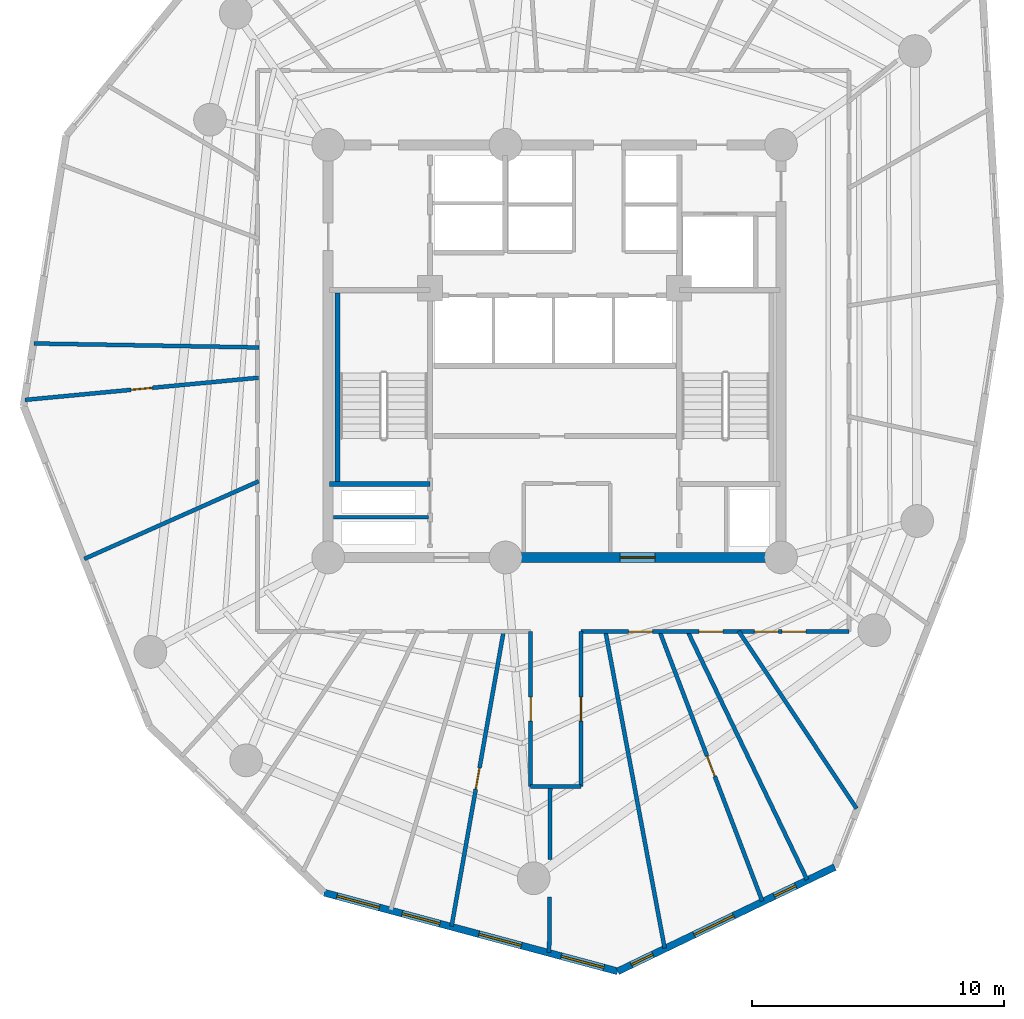
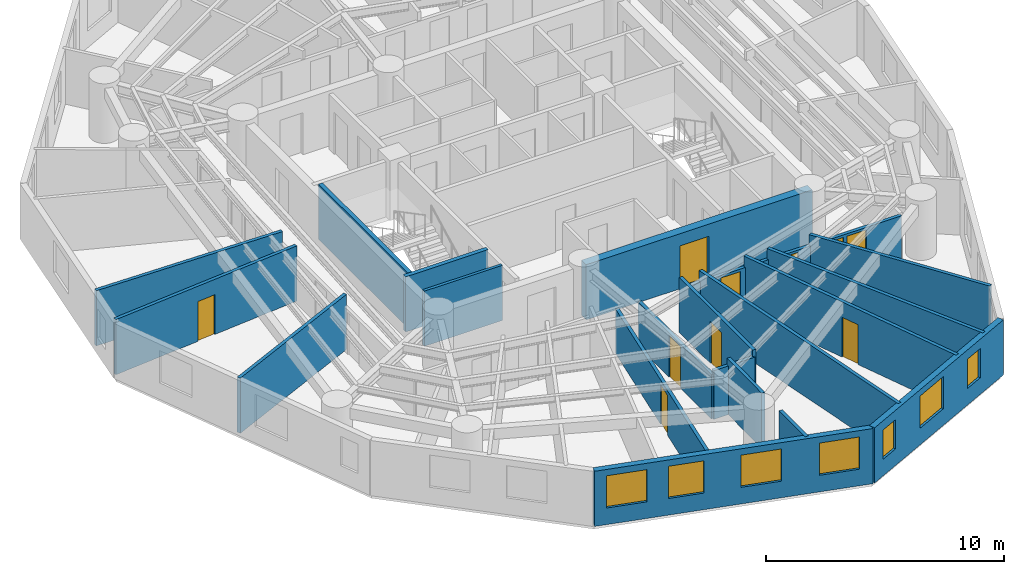
# One storey, part 3 of 8: 20 walls, 10 doors, 7 windows, 17 openings.
"""IFC4 building model written with IfcOpenShell, lengths in metres."""

from ifc_helpers import new_model, si_unit, direction, frame, frame_2d, origin, origin_with_axes, place, context, subcontext, project, spatial, rectangle, extrude, source, transform, mapped, material, layer, layer_set, type_object, element, fill, save


model = new_model("IFC4")

# Units and contexts
model_context = context("Model", 3, precision=1e-05, world=origin(), true_north=direction((0.0, 1.0)))
body_context = subcontext(model_context, "Body", "Model", "MODEL_VIEW")
ifc_project = project(units=[si_unit("LENGTHUNIT", "METRE"), si_unit("AREAUNIT", "SQUARE_METRE"), si_unit("VOLUMEUNIT", "CUBIC_METRE"), si_unit("PLANEANGLEUNIT", "RADIAN"), si_unit("MASSUNIT", "GRAM", prefix="KILO")], contexts=[model_context])

# Site, building, storey
site_placement = place(None, origin())
site = spatial("IfcSite", under=ifc_project, at=site_placement, CompositionType="ELEMENT")
building_placement = place(site_placement, origin())
building = spatial("IfcBuilding", under=site, at=building_placement, Name="Karkom Vertical University and Central Library", CompositionType="ELEMENT")
storey_placement = place(building_placement, frame((0.0, 0.0, 165.699951171875)))
storey = spatial("IfcBuildingStorey", under=building, at=storey_placement, Name="L47", CompositionType="ELEMENT", Elevation=165.699951171875)

# Wall, openings, windows
ifc_material_1 = material(Name="Brick-faced precast concrete C45/55", Category="masonry")
ifc_layer_1 = layer(ifc_material_1, 0.280029296875)
ifc_layer_set_1 = layer_set([ifc_layer_1], Name="Brick-faced precast concrete C45/55")
wall_type_1 = type_object("IfcWallType", Name="ENV-WL-BRK-280", PredefinedType="SOLIDWALL", material=ifc_layer_set_1)
wall_1_placement = place(storey_placement, frame((19.343505859375, 4.976806640625, 0.0), z_axis=(0.0, 0.0, 1.0), x_axis=(0.965909067869, -0.258881580282, 0.0)))
wall_1 = element("IfcWall", 1, at=wall_1_placement, inside=storey, type_object=wall_type_1, Name="Level 47 Brick-Faced Precast Facade Wall 04", PredefinedType="SOLIDWALL", context=body_context, shape_type="SweptSolid", body=[
    extrude(rectangle(XDim=12.07763671875, YDim=0.280029296875, at=frame_2d((6.038818359375, 0.0))), origin(), (0.0, 0.0, 1.0), 2.824951171875),
])
opening_1_placement = place(wall_1_placement, frame((0.52099609375, 0.0, 0.85009765625)))
opening_1 = element("IfcOpeningElement", 2, at=opening_1_placement, cuts=wall_1, Name="Opening WN-08", PredefinedType="OPENING", context=body_context, shape_type="SweptSolid", body=[
    extrude(rectangle(XDim=1.75, YDim=1.64990234375, at=frame_2d((0.875, 0.824951171875))), frame((0.0, 0.14990234375, 0.0), z_axis=(0.0, -1.0, 0.0), x_axis=(1.0, 0.0, 0.0)), (0.0, 0.0, 1.0), 0.300048828125),
])
opening_2_placement = place(wall_1_placement, frame((3.207275390625, 0.0, 0.85009765625)))
opening_2 = element("IfcOpeningElement", 3, at=opening_2_placement, cuts=wall_1, Name="Opening WN-09", PredefinedType="OPENING", context=body_context, shape_type="SweptSolid", body=[
    extrude(rectangle(XDim=1.550048828125, YDim=1.64990234375, at=frame_2d((0.77490234375, 0.824951171875))), frame((0.0, 0.14990234375, 0.0), z_axis=(0.0, -1.0, 0.0), x_axis=(1.0, 0.0, 0.0)), (0.0, 0.0, 1.0), 0.300048828125),
])
opening_3_placement = place(wall_1_placement, frame((6.36181640625, 0.0, 0.85009765625)))
opening_3 = element("IfcOpeningElement", 4, at=opening_3_placement, cuts=wall_1, Name="Opening WN-08", PredefinedType="OPENING", context=body_context, shape_type="SweptSolid", body=[
    extrude(rectangle(XDim=1.75, YDim=1.64990234375, at=frame_2d((0.875, 0.824951171875))), frame((0.0, 0.14990234375, 0.0), z_axis=(0.0, -1.0, 0.0), x_axis=(1.0, 0.0, 0.0)), (0.0, 0.0, 1.0), 0.300048828125),
])
opening_4_placement = place(wall_1_placement, frame((9.75439453125, 0.0, 0.85009765625)))
opening_4 = element("IfcOpeningElement", 5, at=opening_4_placement, cuts=wall_1, Name="Opening WN-08", PredefinedType="OPENING", context=body_context, shape_type="SweptSolid", body=[
    extrude(rectangle(XDim=1.75, YDim=1.64990234375, at=frame_2d((0.875, 0.824951171875))), frame((0.0, 0.14990234375, 0.0), z_axis=(0.0, -1.0, 0.0), x_axis=(1.0, 0.0, 0.0)), (0.0, 0.0, 1.0), 0.300048828125),
])
ifc_material_2 = material(Name="Aluminium thermal-break frame with solar-control IGU", Category="aluminium")
window_type_1 = type_object("IfcWindowType", Name="ENV-WIN-WN-08", PartitioningType="SINGLE_PANEL", PredefinedType="WINDOW", material=ifc_material_2)
shared_shape_1 = source(origin_with_axes(), body_context, "Body", "SweptSolid", [
    extrude(rectangle(XDim=1.75, YDim=1.64990234375, at=frame_2d((0.875, 0.824951171875))), frame((0.0, 0.030029296875, 0.0), z_axis=(0.0, -1.0, 0.0), x_axis=(1.0, 0.0, 0.0)), (0.0, 0.0, 1.0), 0.06005859375),
])
window_1_placement = place(opening_1_placement, origin())
window_1 = element("IfcWindow", 6, at=window_1_placement, inside=storey, type_object=window_type_1, Name="Level 47 Punched Window 4.1", OverallHeight=1.64990234375, OverallWidth=1.75, PartitioningType="SINGLE_PANEL", PredefinedType="WINDOW", context=body_context, shape_type="MappedRepresentation", body=[
    mapped(shared_shape_1, transform((0.0, 0.0, 0.0), scale=1.0)),
])
fill(opening_1, window_1)
window_2_placement = place(opening_3_placement, origin())
window_2 = element("IfcWindow", 7, at=window_2_placement, inside=storey, type_object=window_type_1, Name="Level 47 Punched Window 4.3", OverallHeight=1.64990234375, OverallWidth=1.75, PartitioningType="SINGLE_PANEL", PredefinedType="WINDOW", context=body_context, shape_type="MappedRepresentation", body=[
    mapped(shared_shape_1, transform((0.0, 0.0, 0.0), scale=1.0)),
])
fill(opening_3, window_2)
window_3_placement = place(opening_4_placement, origin())
window_3 = element("IfcWindow", 8, at=window_3_placement, inside=storey, type_object=window_type_1, Name="Level 47 Punched Window 4.4", OverallHeight=1.64990234375, OverallWidth=1.75, PartitioningType="SINGLE_PANEL", PredefinedType="WINDOW", context=body_context, shape_type="MappedRepresentation", body=[
    mapped(shared_shape_1, transform((0.0, 0.0, 0.0), scale=1.0)),
])
fill(opening_4, window_3)
window_type_2 = type_object("IfcWindowType", Name="ENV-WIN-WN-09", PartitioningType="SINGLE_PANEL", PredefinedType="WINDOW", material=ifc_material_2)
shared_shape_2 = source(origin_with_axes(), body_context, "Body", "SweptSolid", [
    extrude(rectangle(XDim=1.550048828125, YDim=1.64990234375, at=frame_2d((0.77490234375, 0.824951171875))), frame((0.0, 0.030029296875, 0.0), z_axis=(0.0, -1.0, 0.0), x_axis=(1.0, 0.0, 0.0)), (0.0, 0.0, 1.0), 0.06005859375),
])
window_4_placement = place(opening_2_placement, origin())
window_4 = element("IfcWindow", 9, at=window_4_placement, inside=storey, type_object=window_type_2, Name="Level 47 Punched Window 4.2", OverallHeight=1.64990234375, OverallWidth=1.550048828125, PartitioningType="SINGLE_PANEL", PredefinedType="WINDOW", context=body_context, shape_type="MappedRepresentation", body=[
    mapped(shared_shape_2, transform((0.0, 0.0, 0.0), scale=1.0)),
])
fill(opening_2, window_4)

wall_2_placement = place(storey_placement, frame((31.009521484375, 1.85009765625, 0.0), z_axis=(0.0, 0.0, 1.0), x_axis=(0.901405998946, 0.432974855003, 0.0)))
wall_2 = element("IfcWall", 10, at=wall_2_placement, inside=storey, type_object=wall_type_1, Name="Level 47 Brick-Faced Precast Facade Wall 05", PredefinedType="SOLIDWALL", context=body_context, shape_type="SweptSolid", body=[
    extrude(rectangle(XDim=9.571044921875, YDim=0.280029296875, at=frame_2d((4.78564453125, 0.0))), origin(), (0.0, 0.0, 1.0), 2.824951171875),
])
opening_5_placement = place(wall_2_placement, frame((0.600341796875, 0.0, 0.85009765625)))
opening_5 = element("IfcOpeningElement", 11, at=opening_5_placement, cuts=wall_2, Name="Opening WN-12", PredefinedType="OPENING", context=body_context, shape_type="SweptSolid", body=[
    extrude(rectangle(XDim=0.949951171875, YDim=1.5, at=frame_2d((0.47509765625, 0.75))), frame((0.0, 0.14990234375, 0.0), z_axis=(0.0, -1.0, 0.0), x_axis=(1.0, 0.0, 0.0)), (0.0, 0.0, 1.0), 0.300048828125),
])
opening_6_placement = place(wall_2_placement, frame((3.365478515625, 0.0, 0.85009765625)))
opening_6 = element("IfcOpeningElement", 12, at=opening_6_placement, cuts=wall_2, Name="Opening WN-08", PredefinedType="OPENING", context=body_context, shape_type="SweptSolid", body=[
    extrude(rectangle(XDim=1.75, YDim=1.64990234375, at=frame_2d((0.875, 0.824951171875))), frame((0.0, 0.14990234375, 0.0), z_axis=(0.0, -1.0, 0.0), x_axis=(1.0, 0.0, 0.0)), (0.0, 0.0, 1.0), 0.300048828125),
])
opening_7_placement = place(wall_2_placement, frame((6.901123046875, 0.0, 0.85009765625)))
opening_7 = element("IfcOpeningElement", 13, at=opening_7_placement, cuts=wall_2, Name="Opening WN-12", PredefinedType="OPENING", context=body_context, shape_type="SweptSolid", body=[
    extrude(rectangle(XDim=0.949951171875, YDim=1.5, at=frame_2d((0.47509765625, 0.75))), frame((0.0, 0.14990234375, 0.0), z_axis=(0.0, -1.0, 0.0), x_axis=(1.0, 0.0, 0.0)), (0.0, 0.0, 1.0), 0.300048828125),
])
window_type_3 = type_object("IfcWindowType", Name="ENV-WIN-WN-12", PartitioningType="SINGLE_PANEL", PredefinedType="WINDOW", material=ifc_material_2)
shared_shape_3 = source(origin_with_axes(), body_context, "Body", "SweptSolid", [
    extrude(rectangle(XDim=0.949951171875, YDim=1.5, at=frame_2d((0.47509765625, 0.75))), frame((0.0, 0.030029296875, 0.0), z_axis=(0.0, -1.0, 0.0), x_axis=(1.0, 0.0, 0.0)), (0.0, 0.0, 1.0), 0.06005859375),
])
window_5_placement = place(opening_5_placement, origin())
window_5 = element("IfcWindow", 14, at=window_5_placement, inside=storey, type_object=window_type_3, Name="Level 47 Punched Window 5.1", OverallHeight=1.5, OverallWidth=0.949951171875, PartitioningType="SINGLE_PANEL", PredefinedType="WINDOW", context=body_context, shape_type="MappedRepresentation", body=[
    mapped(shared_shape_3, transform((0.0, 0.0, 0.0), scale=1.0)),
])
fill(opening_5, window_5)
window_6_placement = place(opening_7_placement, origin())
window_6 = element("IfcWindow", 15, at=window_6_placement, inside=storey, type_object=window_type_3, Name="Level 47 Punched Window 5.3", OverallHeight=1.5, OverallWidth=0.949951171875, PartitioningType="SINGLE_PANEL", PredefinedType="WINDOW", context=body_context, shape_type="MappedRepresentation", body=[
    mapped(shared_shape_3, transform((0.0, 0.0, 0.0), scale=1.0)),
])
fill(opening_7, window_6)
window_7_placement = place(opening_6_placement, origin())
window_7 = element("IfcWindow", 16, at=window_7_placement, inside=storey, type_object=window_type_1, Name="Level 47 Punched Window 5.2", OverallHeight=1.64990234375, OverallWidth=1.75, PartitioningType="SINGLE_PANEL", PredefinedType="WINDOW", context=body_context, shape_type="MappedRepresentation", body=[
    mapped(shared_shape_1, transform((0.0, 0.0, 0.0), scale=1.0)),
])
fill(opening_6, window_7)

# Wall
ifc_material_3 = material(Name="Insulated metal-stud drywall 160mm", Category="gypsum")
ifc_layer_2 = layer(ifc_material_3, 0.159912109375)
ifc_layer_set_2 = layer_set([ifc_layer_2], Name="Insulated metal-stud drywall 160mm")
wall_type_2 = type_object("IfcWallType", Name="INT-WL-COR-160", PredefinedType="PARTITIONING", material=ifc_layer_set_2)
wall_3_placement = place(storey_placement, frame((30.517822265625, 15.37939453125, 0.0), z_axis=(0.0, 0.0, 1.0), x_axis=(0.183764271783, -0.982970341575, 0.0)))
element("IfcWall", 17, at=wall_3_placement, inside=storey, type_object=wall_type_2, Name="Level 47 Interior Partition Wall L47-PW-011", PredefinedType="PARTITIONING", context=body_context, shape_type="SweptSolid", body=[
    extrude(rectangle(XDim=12.82177734375, YDim=0.159912109375, at=frame_2d((6.410888671875, 0.0))), origin(), (0.0, 0.0, 1.0), 2.824951171875),
])

# Wall, opening, door
wall_4_placement = place(storey_placement, frame((26.47705078125, 15.37939453125, 0.0), z_axis=(0.0, 0.0, 1.0), x_axis=(-0.173758448811, -0.984788302869, 0.0)))
wall_4 = element("IfcWall", 18, at=wall_4_placement, inside=storey, type_object=wall_type_2, Name="Level 47 Interior Partition Wall L47-PW-008", PredefinedType="PARTITIONING", context=body_context, shape_type="SweptSolid", body=[
    extrude(rectangle(XDim=11.914794921875, YDim=0.159912109375, at=frame_2d((5.95751953125, 0.0))), origin(), (0.0, 0.0, 1.0), 2.275146484375),
])
opening_8_placement = place(wall_4_placement, frame((5.527587890625, 0.0, 0.0)))
opening_8 = element("IfcOpeningElement", 19, at=opening_8_placement, cuts=wall_4, Name="Opening FD-BTH2", PredefinedType="OPENING", context=body_context, shape_type="SweptSolid", body=[
    extrude(rectangle(XDim=0.860107421875, YDim=2.0400390625, at=frame_2d((0.43017578125, 1.02001953125))), frame((0.0, 0.08984375, 0.0), z_axis=(0.0, -1.0, 0.0), x_axis=(1.0, 0.0, 0.0)), (0.0, 0.0, 1.0), 0.179931640625),
])
ifc_material_4 = material(Name="Fire-rated moisture-resistant oak door", Category="wood")
door_type_1 = type_object("IfcDoorType", Name="INT-DR-FBTH2", OperationType="NOTDEFINED", PredefinedType="DOOR", material=ifc_material_4)
shared_shape_4 = source(origin_with_axes(), body_context, "Body", "SweptSolid", [
    extrude(rectangle(XDim=0.860107421875, YDim=2.0400390625, at=frame_2d((0.43017578125, 1.02001953125))), frame((0.0, 0.02490234375, 0.0), z_axis=(0.0, -1.0, 0.0), x_axis=(1.0, 0.0, 0.0)), (0.0, 0.0, 1.0), 0.050048828125),
])
door_1_placement = place(opening_8_placement, origin())
door_1 = element("IfcDoor", 20, at=door_1_placement, inside=storey, type_object=door_type_1, Name="Level 47 Academic Collaborative Study Lounge Entry Door", OperationType="SINGLE_SWING_RIGHT", OverallHeight=2.0400390625, OverallWidth=0.860107421875, PredefinedType="DOOR", context=body_context, shape_type="MappedRepresentation", body=[
    mapped(shared_shape_4, transform((0.0, 0.0, 0.0), scale=1.0)),
])
fill(opening_8, door_1)

wall_5_placement = place(storey_placement, frame((32.668701171875, 15.3779296875, 0.0), z_axis=(0.0, 0.0, 1.0), x_axis=(0.355696690645, -0.934601446748, 0.0)))
wall_5 = element("IfcWall", 21, at=wall_5_placement, inside=storey, type_object=wall_type_2, Name="Level 47 Interior Partition Wall L47-PW-012", PredefinedType="PARTITIONING", context=body_context, shape_type="SweptSolid", body=[
    extrude(rectangle(XDim=11.4912109375, YDim=0.159912109375, at=frame_2d((5.74560546875, 0.0))), origin(), (0.0, 0.0, 1.0), 2.824951171875),
])
opening_9_placement = place(wall_5_placement, frame((5.315673828125, 0.0, 0.0)))
opening_9 = element("IfcOpeningElement", 22, at=opening_9_placement, cuts=wall_5, Name="Opening FD-BTH2", PredefinedType="OPENING", context=body_context, shape_type="SweptSolid", body=[
    extrude(rectangle(XDim=0.860107421875, YDim=2.0400390625, at=frame_2d((0.43017578125, 1.02001953125))), frame((0.0, 0.08984375, 0.0), z_axis=(0.0, -1.0, 0.0), x_axis=(1.0, 0.0, 0.0)), (0.0, 0.0, 1.0), 0.179931640625),
])
door_2_placement = place(opening_9_placement, origin())
door_2 = element("IfcDoor", 23, at=door_2_placement, inside=storey, type_object=door_type_1, Name="Level 47 Campus Student Health Counseling Clinic Entry Door", OperationType="SINGLE_SWING_LEFT", OverallHeight=2.0400390625, OverallWidth=0.860107421875, PredefinedType="DOOR", context=body_context, shape_type="MappedRepresentation", body=[
    mapped(shared_shape_4, transform((0.0, 0.0, 0.0), scale=1.0)),
])
fill(opening_9, door_2)

# Wall
wall_6_placement = place(storey_placement, frame((33.782958984375, 15.376953125, 0.0), z_axis=(0.0, 0.0, 1.0), x_axis=(0.433412654719, -0.901195578512, 0.0)))
element("IfcWall", 24, at=wall_6_placement, inside=storey, type_object=wall_type_2, Name="Level 47 Interior Partition Wall L47-PW-013", PredefinedType="PARTITIONING", context=body_context, shape_type="SweptSolid", body=[
    extrude(rectangle(XDim=10.967529296875, YDim=0.159912109375, at=frame_2d((5.48388671875, 0.0))), origin(), (0.0, 0.0, 1.0), 2.824951171875),
])

# Wall, openings, doors
wall_7_placement = place(storey_placement, frame((40.199951171875, 15.35009765625, 0.0), z_axis=(0.0, 0.0, 1.0), x_axis=(-1.0, 0.0, 0.0)))
wall_7 = element("IfcWall", 25, at=wall_7_placement, inside=storey, type_object=wall_type_2, Name="Level 47 Interior Partition Wall L47-CORW-CW-005", PredefinedType="PARTITIONING", context=body_context, shape_type="SweptSolid", body=[
    extrude(rectangle(XDim=10.64990234375, YDim=0.159912109375, at=frame_2d((5.324951171875, 0.0))), origin(), (0.0, 0.0, 1.0), 2.275146484375),
])
opening_10_placement = place(wall_7_placement, frame((7.802490234375, 0.0, 0.0)))
opening_10 = element("IfcOpeningElement", 26, at=opening_10_placement, cuts=wall_7, Name="Opening D-RM1", PredefinedType="OPENING", context=body_context, shape_type="SweptSolid", body=[
    extrude(rectangle(XDim=0.949951171875, YDim=2.14990234375, at=frame_2d((0.47509765625, 1.074951171875))), frame((0.0, 0.08984375, 0.0), z_axis=(0.0, -1.0, 0.0), x_axis=(1.0, 0.0, 0.0)), (0.0, 0.0, 1.0), 0.179931640625),
])
opening_11_placement = place(wall_7_placement, frame((5.007568359375, 0.0, 0.0)))
opening_11 = element("IfcOpeningElement", 27, at=opening_11_placement, cuts=wall_7, Name="Opening D-RM1", PredefinedType="OPENING", context=body_context, shape_type="SweptSolid", body=[
    extrude(rectangle(XDim=0.949951171875, YDim=2.14990234375, at=frame_2d((0.47509765625, 1.074951171875))), frame((0.0, 0.08984375, 0.0), z_axis=(0.0, -1.0, 0.0), x_axis=(1.0, 0.0, 0.0)), (0.0, 0.0, 1.0), 0.179931640625),
])
opening_12_placement = place(wall_7_placement, frame((2.81005859375, 0.0, 0.0)))
opening_12 = element("IfcOpeningElement", 28, at=opening_12_placement, cuts=wall_7, Name="Opening D-RM1", PredefinedType="OPENING", context=body_context, shape_type="SweptSolid", body=[
    extrude(rectangle(XDim=0.949951171875, YDim=2.14990234375, at=frame_2d((0.47509765625, 1.074951171875))), frame((0.0, 0.08984375, 0.0), z_axis=(0.0, -1.0, 0.0), x_axis=(1.0, 0.0, 0.0)), (0.0, 0.0, 1.0), 0.179931640625),
])
opening_13_placement = place(wall_7_placement, frame((1.71240234375, 0.0, 0.0)))
opening_13 = element("IfcOpeningElement", 29, at=opening_13_placement, cuts=wall_7, Name="Opening D-RM1", PredefinedType="OPENING", context=body_context, shape_type="SweptSolid", body=[
    extrude(rectangle(XDim=0.949951171875, YDim=2.14990234375, at=frame_2d((0.47509765625, 1.074951171875))), frame((0.0, 0.08984375, 0.0), z_axis=(0.0, -1.0, 0.0), x_axis=(1.0, 0.0, 0.0)), (0.0, 0.0, 1.0), 0.179931640625),
])
ifc_material_5 = material(Name="Solid-core oak veneer door", Category="wood")
door_type_2 = type_object("IfcDoorType", Name="INT-DR-RM1", OperationType="NOTDEFINED", PredefinedType="DOOR", material=ifc_material_5)
shared_shape_5 = source(origin_with_axes(), body_context, "Body", "SweptSolid", [
    extrude(rectangle(XDim=0.949951171875, YDim=2.14990234375, at=frame_2d((0.47509765625, 1.074951171875))), frame((0.0, 0.02490234375, 0.0), z_axis=(0.0, -1.0, 0.0), x_axis=(1.0, 0.0, 0.0)), (0.0, 0.0, 1.0), 0.050048828125),
])
door_3_placement = place(opening_10_placement, origin())
door_3 = element("IfcDoor", 30, at=door_3_placement, inside=storey, type_object=door_type_2, Name="Level 47 Room Entry Door 090", OperationType="SINGLE_SWING_RIGHT", OverallHeight=2.14990234375, OverallWidth=0.949951171875, PredefinedType="DOOR", context=body_context, shape_type="MappedRepresentation", body=[
    mapped(shared_shape_5, transform((0.0, 0.0, 0.0), scale=1.0)),
])
fill(opening_10, door_3)
door_4_placement = place(opening_11_placement, origin())
door_4 = element("IfcDoor", 31, at=door_4_placement, inside=storey, type_object=door_type_2, Name="Level 47 Room Entry Door 100", OperationType="SINGLE_SWING_LEFT", OverallHeight=2.14990234375, OverallWidth=0.949951171875, PredefinedType="DOOR", context=body_context, shape_type="MappedRepresentation", body=[
    mapped(shared_shape_5, transform((0.0, 0.0, 0.0), scale=1.0)),
])
fill(opening_11, door_4)
door_5_placement = place(opening_12_placement, origin())
door_5 = element("IfcDoor", 32, at=door_5_placement, inside=storey, type_object=door_type_2, Name="Level 47 Room Entry Door 110", OperationType="SINGLE_SWING_RIGHT", OverallHeight=2.14990234375, OverallWidth=0.949951171875, PredefinedType="DOOR", context=body_context, shape_type="MappedRepresentation", body=[
    mapped(shared_shape_5, transform((0.0, 0.0, 0.0), scale=1.0)),
])
fill(opening_12, door_5)
door_6_placement = place(opening_13_placement, origin())
door_6 = element("IfcDoor", 33, at=door_6_placement, inside=storey, type_object=door_type_2, Name="Level 47 Room Entry Door 120", OperationType="SINGLE_SWING_LEFT", OverallHeight=2.14990234375, OverallWidth=0.949951171875, PredefinedType="DOOR", context=body_context, shape_type="MappedRepresentation", body=[
    mapped(shared_shape_5, transform((0.0, 0.0, 0.0), scale=1.0)),
])
fill(opening_13, door_6)

# Wall, opening, door
wall_8_placement = place(storey_placement, frame((16.72998046875, 25.443115234375, 0.0), z_axis=(0.0, 0.0, 1.0), x_axis=(-0.99552710103, -0.094476405065, 0.0)))
wall_8 = element("IfcWall", 34, at=wall_8_placement, inside=storey, type_object=wall_type_2, Name="Level 47 Interior Partition Wall L47-PW-001", PredefinedType="PARTITIONING", context=body_context, shape_type="SweptSolid", body=[
    extrude(rectangle(XDim=9.31591796875, YDim=0.159912109375, at=frame_2d((4.657958984375, 0.0))), origin(), (0.0, 0.0, 1.0), 2.824951171875),
])
opening_14_placement = place(wall_8_placement, frame((4.227783203125, 0.0, 0.0)))
opening_14 = element("IfcOpeningElement", 35, at=opening_14_placement, cuts=wall_8, Name="Opening FD-BTH2", PredefinedType="OPENING", context=body_context, shape_type="SweptSolid", body=[
    extrude(rectangle(XDim=0.860107421875, YDim=2.0400390625, at=frame_2d((0.43017578125, 1.02001953125))), frame((0.0, 0.08984375, 0.0), z_axis=(0.0, -1.0, 0.0), x_axis=(1.0, 0.0, 0.0)), (0.0, 0.0, 1.0), 0.179931640625),
])
door_7_placement = place(opening_14_placement, origin())
door_7 = element("IfcDoor", 36, at=door_7_placement, inside=storey, type_object=door_type_1, Name="Level 47 Faculty Consultation and Research Office Entry Door", OperationType="SINGLE_SWING_LEFT", OverallHeight=2.0400390625, OverallWidth=0.860107421875, PredefinedType="DOOR", context=body_context, shape_type="MappedRepresentation", body=[
    mapped(shared_shape_4, transform((0.0, 0.0, 0.0), scale=1.0)),
])
fill(opening_14, door_7)

# Walls
wall_9_placement = place(storey_placement, frame((7.807861328125, 26.805419921875, 0.0), z_axis=(0.0, 0.0, 1.0), x_axis=(0.999843847639, -0.017671455444, 0.0)))
element("IfcWall", 37, at=wall_9_placement, inside=storey, type_object=wall_type_2, Name="Level 47 Interior Partition Wall L47-PW-002", PredefinedType="PARTITIONING", context=body_context, shape_type="SweptSolid", body=[
    extrude(rectangle(XDim=8.938720703125, YDim=0.159912109375, at=frame_2d((4.46923828125, 0.0))), origin(), (0.0, 0.0, 1.0), 2.824951171875),
])
wall_10_placement = place(storey_placement, frame((35.81640625, 15.375, 0.0), z_axis=(0.0, 0.0, 1.0), x_axis=(0.553229279242, -0.83302902986, 0.0)))
element("IfcWall", 38, at=wall_10_placement, inside=storey, type_object=wall_type_2, Name="Level 47 Interior Partition Wall L47-PW-014", PredefinedType="PARTITIONING", context=body_context, shape_type="SweptSolid", body=[
    extrude(rectangle(XDim=8.469970703125, YDim=0.159912109375, at=frame_2d((4.23486328125, 0.0))), origin(), (0.0, 0.0, 1.0), 2.824951171875),
])
wall_11_placement = place(storey_placement, frame((16.7412109375, 21.32958984375, 0.0), z_axis=(0.0, 0.0, 1.0), x_axis=(-0.913520834249, -0.40679194362, 0.0)))
element("IfcWall", 39, at=wall_11_placement, inside=storey, type_object=wall_type_2, Name="Level 47 Interior Partition Wall L47-PW-003", PredefinedType="PARTITIONING", context=body_context, shape_type="SweptSolid", body=[
    extrude(rectangle(XDim=7.59033203125, YDim=0.159912109375, at=frame_2d((3.795166015625, 0.0))), origin(), (0.0, 0.0, 1.0), 2.824951171875),
])

# Wall, opening, door
wall_12_placement = place(storey_placement, frame((29.550048828125, 15.35009765625, 0.0), z_axis=(0.0, 0.0, 1.0), x_axis=(0.0, -1.0, 0.0)))
wall_12 = element("IfcWall", 40, at=wall_12_placement, inside=storey, type_object=wall_type_2, Name="Level 47 Interior Partition Wall L47-CORW-CW-006", PredefinedType="PARTITIONING", context=body_context, shape_type="SweptSolid", body=[
    extrude(rectangle(XDim=6.150146484375, YDim=0.159912109375, at=frame_2d((3.0751953125, 0.0))), origin(), (0.0, 0.0, 1.0), 2.824951171875),
])
opening_15_placement = place(wall_12_placement, frame((2.60009765625, 0.0, 0.0)))
opening_15 = element("IfcOpeningElement", 41, at=opening_15_placement, cuts=wall_12, Name="Opening D-RM1", PredefinedType="OPENING", context=body_context, shape_type="SweptSolid", body=[
    extrude(rectangle(XDim=0.949951171875, YDim=2.14990234375, at=frame_2d((0.47509765625, 1.074951171875))), frame((0.0, 0.08984375, 0.0), z_axis=(0.0, -1.0, 0.0), x_axis=(1.0, 0.0, 0.0)), (0.0, 0.0, 1.0), 0.179931640625),
])
door_8_placement = place(opening_15_placement, origin())
door_8 = element("IfcDoor", 42, at=door_8_placement, inside=storey, type_object=door_type_2, Name="Level 47 Room Entry Door 080", OperationType="SINGLE_SWING_LEFT", OverallHeight=2.14990234375, OverallWidth=0.949951171875, PredefinedType="DOOR", context=body_context, shape_type="MappedRepresentation", body=[
    mapped(shared_shape_5, transform((0.0, 0.0, 0.0), scale=1.0)),
])
fill(opening_15, door_8)

wall_13_placement = place(storey_placement, frame((27.550048828125, 9.199951171875, 0.0), z_axis=(0.0, 0.0, 1.0), x_axis=(0.0, 1.0, 0.0)))
wall_13 = element("IfcWall", 43, at=wall_13_placement, inside=storey, type_object=wall_type_2, Name="Level 47 Interior Partition Wall L47-CORW-CW-008", PredefinedType="PARTITIONING", context=body_context, shape_type="SweptSolid", body=[
    extrude(rectangle(XDim=6.150146484375, YDim=0.159912109375, at=frame_2d((3.0751953125, 0.0))), origin(), (0.0, 0.0, 1.0), 2.275146484375),
])
opening_16_placement = place(wall_13_placement, frame((2.60009765625, 0.0, 0.0)))
opening_16 = element("IfcOpeningElement", 44, at=opening_16_placement, cuts=wall_13, Name="Opening D-RM1", PredefinedType="OPENING", context=body_context, shape_type="SweptSolid", body=[
    extrude(rectangle(XDim=0.949951171875, YDim=2.14990234375, at=frame_2d((0.47509765625, 1.074951171875))), frame((0.0, 0.08984375, 0.0), z_axis=(0.0, -1.0, 0.0), x_axis=(1.0, 0.0, 0.0)), (0.0, 0.0, 1.0), 0.179931640625),
])
door_9_placement = place(opening_16_placement, origin())
door_9 = element("IfcDoor", 45, at=door_9_placement, inside=storey, type_object=door_type_2, Name="Level 47 Room Entry Door 070", OperationType="SINGLE_SWING_RIGHT", OverallHeight=2.14990234375, OverallWidth=0.949951171875, PredefinedType="DOOR", context=body_context, shape_type="MappedRepresentation", body=[
    mapped(shared_shape_5, transform((0.0, 0.0, 0.0), scale=1.0)),
])
fill(opening_16, door_9)

# Walls
wall_14_placement = place(storey_placement, frame((28.328125, 9.22998046875, 0.0), z_axis=(0.0, 0.0, 1.0), x_axis=(-0.006475042741, -0.999979036691, 0.0)))
element("IfcWall", 46, at=wall_14_placement, inside=storey, type_object=wall_type_2, Name="Level 47 Interior Partition Wall L47-PW-009", PredefinedType="PARTITIONING", context=body_context, shape_type="SweptSolid", body=[
    extrude(rectangle(XDim=2.94091796875, YDim=0.159912109375, at=frame_2d((1.470458984375, 0.0))), origin(), (0.0, 0.0, 1.0), 2.824951171875),
])
wall_15_placement = place(storey_placement, frame((28.299560546875, 4.80908203125, 0.0), z_axis=(0.0, 0.0, 1.0), x_axis=(-0.006434302128, -0.999979299664, 0.0)))
element("IfcWall", 47, at=wall_15_placement, inside=storey, type_object=wall_type_2, Name="Level 47 Interior Partition Wall L47-PW-010", PredefinedType="PARTITIONING", context=body_context, shape_type="SweptSolid", body=[
    extrude(rectangle(XDim=2.20068359375, YDim=0.159912109375, at=frame_2d((1.100341796875, 0.0))), origin(), (0.0, 0.0, 1.0), 2.824951171875),
])
wall_16_placement = place(storey_placement, frame((29.550048828125, 9.199951171875, 0.0), z_axis=(0.0, 0.0, 1.0), x_axis=(-1.0, 0.0, 0.0)))
element("IfcWall", 48, at=wall_16_placement, inside=storey, type_object=wall_type_2, Name="Level 47 Interior Partition Wall L47-CORW-CW-007", PredefinedType="PARTITIONING", context=body_context, shape_type="SweptSolid", body=[
    extrude(rectangle(XDim=2.0, YDim=0.159912109375, at=frame_2d((1.0, 0.0))), origin(), (0.0, 0.0, 1.0), 2.4951171875),
])
ifc_material_6 = material(Name="Metal-stud gypsum partition 140mm", Category="gypsum")
ifc_layer_3 = layer(ifc_material_6, 0.139892578125)
ifc_layer_set_3 = layer_set([ifc_layer_3], Name="Metal-stud gypsum partition 140mm")
wall_type_3 = type_object("IfcWallType", Name="INT-WL-SUB-140H", PredefinedType="PARTITIONING", material=ifc_layer_set_3)
wall_17_placement = place(storey_placement, frame((19.70703125, 19.889892578125, 0.0), z_axis=(0.0, 0.0, 1.0), x_axis=(1.0, 0.0, 0.0)))
element("IfcWall", 49, at=wall_17_placement, inside=storey, type_object=wall_type_3, Name="Level 47 Interior Partition Wall L47-CW-RIS-W", PredefinedType="PARTITIONING", context=body_context, shape_type="SweptSolid", body=[
    extrude(rectangle(XDim=3.789794921875, YDim=0.139892578125, at=frame_2d((1.89501953125, 0.0))), origin(), (0.0, 0.0, 1.0), 2.824951171875),
])

# Wall, opening, door
ifc_material_7 = material(Name="Concrete C50/60", Category="concrete")
ifc_layer_4 = layer(ifc_material_7, 0.39990234375)
ifc_layer_set_4 = layer_set([ifc_layer_4], Name="Concrete C50/60")
wall_type_4 = type_object("IfcWallType", Name="STR-WL-CW-400", PredefinedType="SHEAR", material=ifc_layer_set_4)
wall_18_placement = place(storey_placement, frame((26.550048828125, 18.300048828125, 0.0), z_axis=(0.0, 0.0, 1.0), x_axis=(1.0, 0.0, 0.0)))
wall_18 = element("IfcWall", 50, at=wall_18_placement, inside=storey, type_object=wall_type_4, Name="Level 47 Central Core Shear Wall SW2", PredefinedType="SHEAR", context=body_context, shape_type="SweptSolid", body=[
    extrude(rectangle(XDim=10.949951171875, YDim=0.39990234375, at=frame_2d((5.47509765625, 0.0))), origin(), (0.0, 0.0, 1.0), 2.824951171875),
])
opening_17_placement = place(wall_18_placement, frame((4.550048828125, 0.0, 0.0)))
opening_17 = element("IfcOpeningElement", 51, at=opening_17_placement, cuts=wall_18, Name="Opening FD-CLB", PredefinedType="OPENING", context=body_context, shape_type="SweptSolid", body=[
    extrude(rectangle(XDim=1.39990234375, YDim=2.199951171875, at=frame_2d((0.699951171875, 1.10009765625))), frame((0.0, 0.2099609375, 0.0), z_axis=(0.0, -1.0, 0.0), x_axis=(1.0, 0.0, 0.0)), (0.0, 0.0, 1.0), 0.419921875),
])
ifc_material_8 = material(Name="Painted steel fire door", Category="steel")
door_type_3 = type_object("IfcDoorType", Name="INT-DR-CLB", OperationType="DOUBLE_DOOR_SINGLE_SWING", PredefinedType="DOOR", material=ifc_material_8)
shared_shape_6 = source(origin_with_axes(), body_context, "Body", "SweptSolid", [
    extrude(rectangle(XDim=1.39990234375, YDim=2.199951171875, at=frame_2d((0.699951171875, 1.10009765625))), frame((0.0, 0.02490234375, 0.0), z_axis=(0.0, -1.0, 0.0), x_axis=(1.0, 0.0, 0.0)), (0.0, 0.0, 1.0), 0.050048828125),
])
door_10_placement = place(opening_17_placement, origin())
door_10 = element("IfcDoor", 52, at=door_10_placement, inside=storey, type_object=door_type_3, Name="Level 47 South Core Lobby East Exit Door", OperationType="DOUBLE_DOOR_SINGLE_SWING", OverallHeight=2.199951171875, OverallWidth=1.39990234375, PredefinedType="DOOR", context=body_context, shape_type="MappedRepresentation", body=[
    mapped(shared_shape_6, transform((0.0, 0.0, 0.0), scale=1.0)),
])
fill(opening_17, door_10)

# Walls
ifc_material_9 = material(Name="Concrete C45/55", Category="concrete")
ifc_layer_5 = layer(ifc_material_9, 0.199951171875)
ifc_layer_set_5 = layer_set([ifc_layer_5], Name="Concrete C45/55")
wall_type_5 = type_object("IfcWallType", Name="STR-WL-ST-200", PredefinedType="SHEAR", material=ifc_layer_set_5)
wall_19_placement = place(storey_placement, frame((19.875, 21.320068359375, 0.0), z_axis=(0.0, 0.0, 1.0), x_axis=(0.0, 1.0, 0.0)))
element("IfcWall", 53, at=wall_19_placement, inside=storey, type_object=wall_type_5, Name="Level 47 Core Shaft Wall L47-CW-ST1-W", PredefinedType="SHEAR", context=body_context, shape_type="SweptSolid", body=[
    extrude(rectangle(XDim=7.5, YDim=0.199951171875, at=frame_2d((3.75, 0.0))), origin(), (0.0, 0.0, 1.0), 2.824951171875),
])
wall_20_placement = place(storey_placement, frame((19.550048828125, 21.215087890625, 0.0), z_axis=(0.0, 0.0, 1.0), x_axis=(1.0, 0.0, 0.0)))
element("IfcWall", 54, at=wall_20_placement, inside=storey, type_object=wall_type_5, Name="Level 47 Core Shaft Wall L47-CW-ST1-S", PredefinedType="SHEAR", context=body_context, shape_type="SweptSolid", body=[
    extrude(rectangle(XDim=3.994873046875, YDim=0.199951171875, at=frame_2d((1.99755859375, 0.0))), origin(), (0.0, 0.0, 1.0), 2.824951171875),
])

save(model, "model.ifc")
